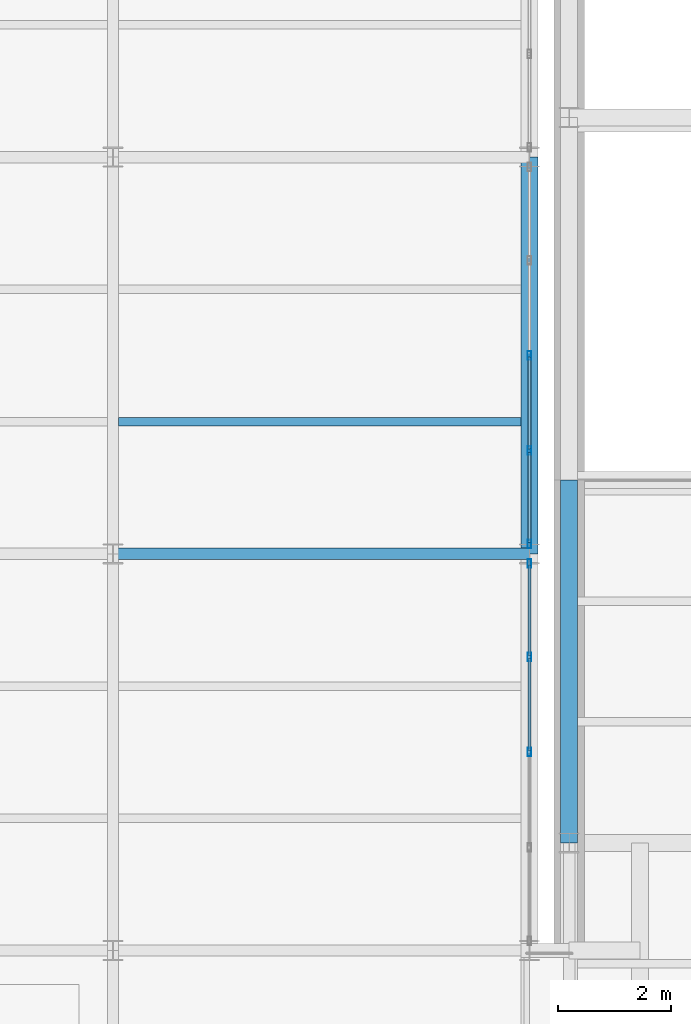
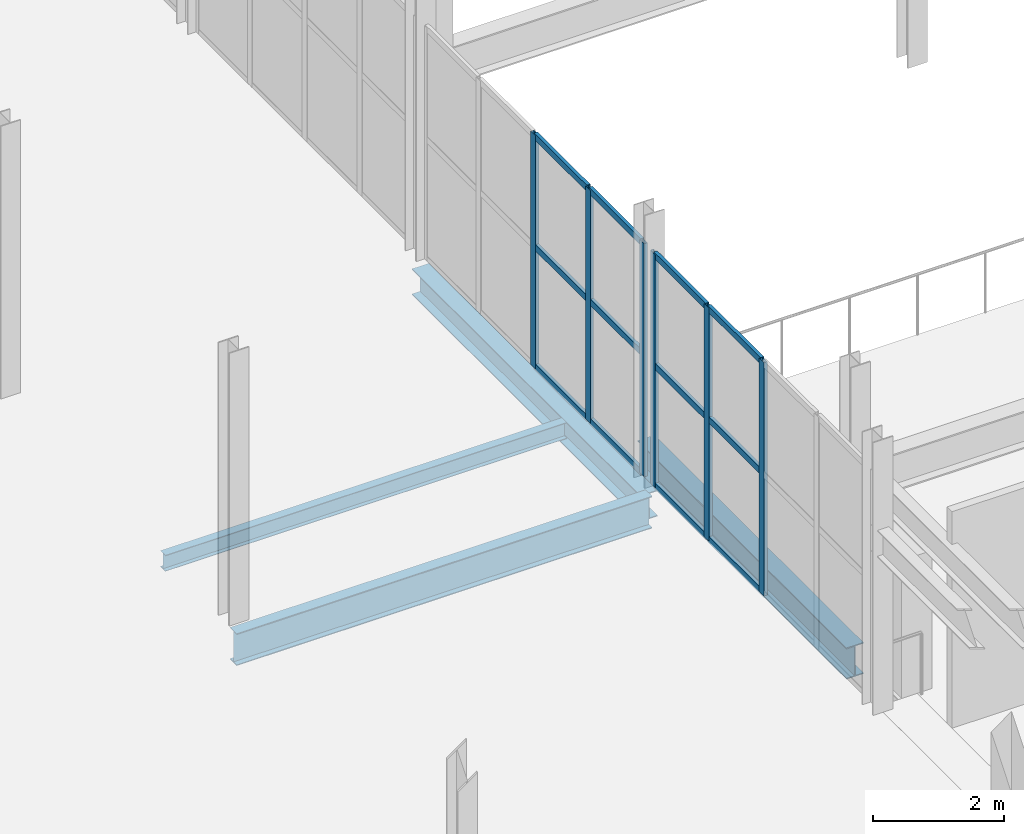
# One storey, part 47 of 218: 18 members, 4 beams, 2 elements without a shape of their own.
"""IFC4 building model written with IfcOpenShell, lengths in metres."""

from ifc_helpers import new_model, si_unit, direction, frame, origin, origin_2d, place, context, subcontext, project, spatial, hollow_rectangle, i_section, extrude, material, material_profile, profile_set, type_object, element, aggregate, save


model = new_model("IFC4")

# Units and contexts
model_context = context("Model", 3, precision=1e-05, world=origin(), true_north=direction((0.0, 1.0)))
body_context = subcontext(model_context, "Body", "Model", "MODEL_VIEW")
ifc_project = project(units=[si_unit("LENGTHUNIT", "METRE"), si_unit("AREAUNIT", "SQUARE_METRE"), si_unit("VOLUMEUNIT", "CUBIC_METRE"), si_unit("PLANEANGLEUNIT", "RADIAN"), si_unit("MASSUNIT", "GRAM", prefix="KILO")], contexts=[model_context])

# Site, building, storey
site_placement = place(None, origin())
site = spatial("IfcSite", under=ifc_project, at=site_placement, CompositionType="ELEMENT")
building_placement = place(site_placement, origin())
building = spatial("IfcBuilding", under=site, at=building_placement, Name="Kazenagashi Tramway Depot", CompositionType="ELEMENT")
storey_placement = place(building_placement, frame((0.0, 0.0, 6.0)))
storey = spatial("IfcBuildingStorey", under=building, at=storey_placement, Name="L02", CompositionType="ELEMENT", Elevation=6.0)

# Beams
ifc_material_1 = material(Name="Steel SN490B", Category="steel")
ifc_material_profile_1 = material_profile(ifc_material_1, i_section(OverallWidth=0.2, OverallDepth=0.6, WebThickness=0.011, FlangeThickness=0.017, at=origin_2d()), Name="H-600x200x11x17")
ifc_profile_set_1 = profile_set([ifc_material_profile_1], Name="Steel SN490B")
beam_type_1 = type_object("IfcBeamType", Name="G-03", PredefinedType="BEAM", material=ifc_profile_set_1)
beam_1_placement = place(storey_placement, frame((36.75, 28.0, -0.55), z_axis=(1.0, 0.0, 0.0), x_axis=(0.0, 1.0, 0.0)))
element("IfcBeam", 1, at=beam_1_placement, inside=storey, type_object=beam_type_1, Name="Beam G-03 BM-0024", PredefinedType="BEAM", context=body_context, shape_type="SweptSolid", body=[
    extrude(i_section(OverallWidth=0.2, OverallDepth=0.6, WebThickness=0.011, FlangeThickness=0.017, at=origin_2d()), origin(), (0.0, 0.0, 1.0), 7.35),
])
ifc_material_2 = material(Name="Steel SN400B", Category="steel")
ifc_material_profile_2 = material_profile(ifc_material_2, i_section(OverallWidth=0.15, OverallDepth=0.3, WebThickness=0.0065, FlangeThickness=0.009, at=origin_2d()), Name="H-300x150x6.5x9")
ifc_profile_set_2 = profile_set([ifc_material_profile_2], Name="Steel SN400B")
beam_type_2 = type_object("IfcBeamType", Name="J-02", PredefinedType="JOIST", material=ifc_profile_set_2)
beam_2_placement = place(storey_placement, frame((36.85, 30.333, -0.4), z_axis=(1.0, 0.0, 0.0), x_axis=(0.0, 1.0, 0.0)))
element("IfcBeam", 2, at=beam_2_placement, inside=storey, type_object=beam_type_2, Name="Beam J-02 BM-0195", PredefinedType="JOIST", context=body_context, shape_type="SweptSolid", body=[
    extrude(i_section(OverallWidth=0.15, OverallDepth=0.3, WebThickness=0.0065, FlangeThickness=0.009, at=origin_2d()), origin(), (0.0, 0.0, 1.0), 7.1),
])

# Curtain wall, members
ifc_material_3 = material(Name="Anodised Aluminium and Low-E Glazing", Category="aluminium")
curtain_wall_type = type_object("IfcCurtainWallType", Name="CW-34", PredefinedType="USERDEFINED", material=ifc_material_3)
curtain_wall_1_placement = place(storey_placement, origin())
curtain_wall_1 = element("IfcCurtainWall", 3, at=curtain_wall_1_placement, inside=storey, type_object=curtain_wall_type, Name="Industrial Glazed Screen CW-34 CW-0186", ObjectType="GLAZED SCREEN", PredefinedType="USERDEFINED")
ifc_material_4 = material(Name="Anodised Aluminium", Category="aluminium")
ifc_material_profile_3 = material_profile(ifc_material_4, hollow_rectangle(XDim=0.06, YDim=0.15, WallThickness=0.004, at=origin_2d()), Name="RHS-150x60x4")
ifc_profile_set_3 = profile_set([ifc_material_profile_3], Name="Anodised Aluminium")
member_type_1 = type_object("IfcMemberType", Name="ML-01", PredefinedType="MULLION", material=ifc_profile_set_3)
member_1_placement = place(storey_placement, frame((44.1, 24.5, 0.0), z_axis=(0.0, 0.0, 1.0), x_axis=(-1.0, 0.0, 0.0)))
member_1 = element("IfcMember", 4, at=member_1_placement, type_object=member_type_1, Name="CW-34 mullion 3", PredefinedType="MULLION", context=body_context, shape_type="SweptSolid", body=[
    extrude(hollow_rectangle(XDim=0.06, YDim=0.15, WallThickness=0.004, at=origin_2d()), origin(), (0.0, 0.0, 1.0), 4.362),
])
member_2_placement = place(storey_placement, frame((44.1, 26.18, 0.0), z_axis=(0.0, 0.0, 1.0), x_axis=(-1.0, 0.0, 0.0)))
member_2 = element("IfcMember", 5, at=member_2_placement, type_object=member_type_1, Name="CW-34 mullion 4", PredefinedType="MULLION", context=body_context, shape_type="SweptSolid", body=[
    extrude(hollow_rectangle(XDim=0.06, YDim=0.15, WallThickness=0.004, at=origin_2d()), origin(), (0.0, 0.0, 1.0), 4.362),
])
member_3_placement = place(storey_placement, frame((44.1, 27.83, 0.0), z_axis=(0.0, 0.0, 1.0), x_axis=(-1.0, 0.0, 0.0)))
member_3 = element("IfcMember", 6, at=member_3_placement, type_object=member_type_1, Name="CW-34 mullion 5", PredefinedType="MULLION", context=body_context, shape_type="SweptSolid", body=[
    extrude(hollow_rectangle(XDim=0.06, YDim=0.15, WallThickness=0.004, at=origin_2d()), origin(), (0.0, 0.0, 1.0), 4.362),
])

curtain_wall_2_placement = place(storey_placement, origin())
curtain_wall_2 = element("IfcCurtainWall", 7, at=curtain_wall_2_placement, inside=storey, type_object=curtain_wall_type, Name="Industrial Glazed Screen CW-34 CW-0188", ObjectType="GLAZED SCREEN", PredefinedType="USERDEFINED")
member_4_placement = place(storey_placement, frame((44.1, 28.17, 0.0), z_axis=(0.0, 0.0, 1.0), x_axis=(-1.0, 0.0, 0.0)))
member_4 = element("IfcMember", 8, at=member_4_placement, type_object=member_type_1, Name="CW-34 mullion 1", PredefinedType="MULLION", context=body_context, shape_type="SweptSolid", body=[
    extrude(hollow_rectangle(XDim=0.06, YDim=0.15, WallThickness=0.004, at=origin_2d()), origin(), (0.0, 0.0, 1.0), 4.362),
])
member_5_placement = place(storey_placement, frame((44.1, 29.82, 0.0), z_axis=(0.0, 0.0, 1.0), x_axis=(-1.0, 0.0, 0.0)))
member_5 = element("IfcMember", 9, at=member_5_placement, type_object=member_type_1, Name="CW-34 mullion 2", PredefinedType="MULLION", context=body_context, shape_type="SweptSolid", body=[
    extrude(hollow_rectangle(XDim=0.06, YDim=0.15, WallThickness=0.004, at=origin_2d()), origin(), (0.0, 0.0, 1.0), 4.362),
])
member_6_placement = place(storey_placement, frame((44.1, 31.5, 0.0), z_axis=(0.0, 0.0, 1.0), x_axis=(-1.0, 0.0, 0.0)))
member_6 = element("IfcMember", 10, at=member_6_placement, type_object=member_type_1, Name="CW-34 mullion 3", PredefinedType="MULLION", context=body_context, shape_type="SweptSolid", body=[
    extrude(hollow_rectangle(XDim=0.06, YDim=0.15, WallThickness=0.004, at=origin_2d()), origin(), (0.0, 0.0, 1.0), 4.362),
])

# Beams
ifc_material_profile_4 = material_profile(ifc_material_1, i_section(OverallWidth=0.3, OverallDepth=0.588, WebThickness=0.012, FlangeThickness=0.02, at=origin_2d()), Name="H-588x300x12x20")
ifc_profile_set_4 = profile_set([ifc_material_profile_4], Name="Steel SN490B")
beam_type_3 = type_object("IfcBeamType", Name="SP-01", PredefinedType="SPANDREL", material=ifc_profile_set_4)
beam_3_placement = place(storey_placement, frame((44.8, 22.9, -0.544), z_axis=(0.0, 1.0, 0.0), x_axis=(-1.0, 0.0, 0.0)))
element("IfcBeam", 11, at=beam_3_placement, inside=storey, type_object=beam_type_3, Name="Beam SP-01 BM-1033", PredefinedType="SPANDREL", context=body_context, shape_type="SweptSolid", body=[
    extrude(i_section(OverallWidth=0.3, OverallDepth=0.588, WebThickness=0.012, FlangeThickness=0.02, at=origin_2d()), origin(), (0.0, 0.0, 1.0), 6.4),
])
ifc_material_profile_5 = material_profile(ifc_material_1, i_section(OverallWidth=0.3, OverallDepth=0.488, WebThickness=0.011, FlangeThickness=0.018, at=origin_2d()), Name="H-488x300x11x18")
ifc_profile_set_5 = profile_set([ifc_material_profile_5], Name="Steel SN490B")
beam_type_4 = type_object("IfcBeamType", Name="SP-02", PredefinedType="SPANDREL", material=ifc_profile_set_5)
beam_4_placement = place(storey_placement, frame((44.1, 28.0, -0.494), z_axis=(0.0, 1.0, 0.0), x_axis=(-1.0, 0.0, 0.0)))
element("IfcBeam", 12, at=beam_4_placement, inside=storey, type_object=beam_type_4, Name="Beam SP-02 BM-0213", PredefinedType="SPANDREL", context=body_context, shape_type="SweptSolid", body=[
    extrude(i_section(OverallWidth=0.3, OverallDepth=0.488, WebThickness=0.011, FlangeThickness=0.018, at=origin_2d()), origin(), (0.0, 0.0, 1.0), 7.0),
])

# Member
ifc_material_profile_6 = material_profile(ifc_material_4, hollow_rectangle(XDim=0.06, YDim=0.12, WallThickness=0.004, at=origin_2d()), Name="RHS-120x60x4")
ifc_profile_set_6 = profile_set([ifc_material_profile_6], Name="Anodised Aluminium")
member_type_2 = type_object("IfcMemberType", Name="TR-01", PredefinedType="USERDEFINED", material=ifc_profile_set_6)
member_7_placement = place(storey_placement, frame((44.1, 24.53, 0.03), z_axis=(0.0, 1.0, 0.0), x_axis=(-1.0, 0.0, 0.0)))
member_7 = element("IfcMember", 13, at=member_7_placement, type_object=member_type_2, Name="CW-34 transom 3.1", ObjectType="TRANSOM", PredefinedType="USERDEFINED", context=body_context, shape_type="SweptSolid", body=[
    extrude(hollow_rectangle(XDim=0.06, YDim=0.12, WallThickness=0.004, at=origin_2d()), origin(), (0.0, 0.0, 1.0), 1.62),
])

member_8_placement = place(storey_placement, frame((44.1, 24.53, 2.268), z_axis=(0.0, 1.0, 0.0), x_axis=(-1.0, 0.0, 0.0)))
member_8 = element("IfcMember", 14, at=member_8_placement, type_object=member_type_2, Name="CW-34 transom 3.2", ObjectType="TRANSOM", PredefinedType="USERDEFINED", context=body_context, shape_type="SweptSolid", body=[
    extrude(hollow_rectangle(XDim=0.06, YDim=0.12, WallThickness=0.004, at=origin_2d()), origin(), (0.0, 0.0, 1.0), 1.62),
])

member_9_placement = place(storey_placement, frame((44.1, 24.53, 4.332), z_axis=(0.0, 1.0, 0.0), x_axis=(-1.0, 0.0, 0.0)))
member_9 = element("IfcMember", 15, at=member_9_placement, type_object=member_type_2, Name="CW-34 transom 3.3", ObjectType="TRANSOM", PredefinedType="USERDEFINED", context=body_context, shape_type="SweptSolid", body=[
    extrude(hollow_rectangle(XDim=0.06, YDim=0.12, WallThickness=0.004, at=origin_2d()), origin(), (0.0, 0.0, 1.0), 1.62),
])

member_10_placement = place(storey_placement, frame((44.1, 26.21, 0.03), z_axis=(0.0, 1.0, 0.0), x_axis=(-1.0, 0.0, 0.0)))
member_10 = element("IfcMember", 16, at=member_10_placement, type_object=member_type_2, Name="CW-34 transom 4.1", ObjectType="TRANSOM", PredefinedType="USERDEFINED", context=body_context, shape_type="SweptSolid", body=[
    extrude(hollow_rectangle(XDim=0.06, YDim=0.12, WallThickness=0.004, at=origin_2d()), origin(), (0.0, 0.0, 1.0), 1.59),
])

member_11_placement = place(storey_placement, frame((44.1, 26.21, 2.268), z_axis=(0.0, 1.0, 0.0), x_axis=(-1.0, 0.0, 0.0)))
member_11 = element("IfcMember", 17, at=member_11_placement, type_object=member_type_2, Name="CW-34 transom 4.2", ObjectType="TRANSOM", PredefinedType="USERDEFINED", context=body_context, shape_type="SweptSolid", body=[
    extrude(hollow_rectangle(XDim=0.06, YDim=0.12, WallThickness=0.004, at=origin_2d()), origin(), (0.0, 0.0, 1.0), 1.59),
])

member_12_placement = place(storey_placement, frame((44.1, 26.21, 4.332), z_axis=(0.0, 1.0, 0.0), x_axis=(-1.0, 0.0, 0.0)))
member_12 = element("IfcMember", 18, at=member_12_placement, type_object=member_type_2, Name="CW-34 transom 4.3", ObjectType="TRANSOM", PredefinedType="USERDEFINED", context=body_context, shape_type="SweptSolid", body=[
    extrude(hollow_rectangle(XDim=0.06, YDim=0.12, WallThickness=0.004, at=origin_2d()), origin(), (0.0, 0.0, 1.0), 1.59),
])

aggregate(curtain_wall_1, [member_1, member_2, member_3, member_7, member_8, member_9, member_10, member_11, member_12])

member_13_placement = place(storey_placement, frame((44.1, 28.2, 0.03), z_axis=(0.0, 1.0, 0.0), x_axis=(-1.0, 0.0, 0.0)))
member_13 = element("IfcMember", 19, at=member_13_placement, type_object=member_type_2, Name="CW-34 transom 1.1", ObjectType="TRANSOM", PredefinedType="USERDEFINED", context=body_context, shape_type="SweptSolid", body=[
    extrude(hollow_rectangle(XDim=0.06, YDim=0.12, WallThickness=0.004, at=origin_2d()), origin(), (0.0, 0.0, 1.0), 1.59),
])

member_14_placement = place(storey_placement, frame((44.1, 28.2, 2.268), z_axis=(0.0, 1.0, 0.0), x_axis=(-1.0, 0.0, 0.0)))
member_14 = element("IfcMember", 20, at=member_14_placement, type_object=member_type_2, Name="CW-34 transom 1.2", ObjectType="TRANSOM", PredefinedType="USERDEFINED", context=body_context, shape_type="SweptSolid", body=[
    extrude(hollow_rectangle(XDim=0.06, YDim=0.12, WallThickness=0.004, at=origin_2d()), origin(), (0.0, 0.0, 1.0), 1.59),
])

member_15_placement = place(storey_placement, frame((44.1, 28.2, 4.332), z_axis=(0.0, 1.0, 0.0), x_axis=(-1.0, 0.0, 0.0)))
member_15 = element("IfcMember", 21, at=member_15_placement, type_object=member_type_2, Name="CW-34 transom 1.3", ObjectType="TRANSOM", PredefinedType="USERDEFINED", context=body_context, shape_type="SweptSolid", body=[
    extrude(hollow_rectangle(XDim=0.06, YDim=0.12, WallThickness=0.004, at=origin_2d()), origin(), (0.0, 0.0, 1.0), 1.59),
])

member_16_placement = place(storey_placement, frame((44.1, 29.85, 0.03), z_axis=(0.0, 1.0, 0.0), x_axis=(-1.0, 0.0, 0.0)))
member_16 = element("IfcMember", 22, at=member_16_placement, type_object=member_type_2, Name="CW-34 transom 2.1", ObjectType="TRANSOM", PredefinedType="USERDEFINED", context=body_context, shape_type="SweptSolid", body=[
    extrude(hollow_rectangle(XDim=0.06, YDim=0.12, WallThickness=0.004, at=origin_2d()), origin(), (0.0, 0.0, 1.0), 1.62),
])

member_17_placement = place(storey_placement, frame((44.1, 29.85, 2.268), z_axis=(0.0, 1.0, 0.0), x_axis=(-1.0, 0.0, 0.0)))
member_17 = element("IfcMember", 23, at=member_17_placement, type_object=member_type_2, Name="CW-34 transom 2.2", ObjectType="TRANSOM", PredefinedType="USERDEFINED", context=body_context, shape_type="SweptSolid", body=[
    extrude(hollow_rectangle(XDim=0.06, YDim=0.12, WallThickness=0.004, at=origin_2d()), origin(), (0.0, 0.0, 1.0), 1.62),
])

member_18_placement = place(storey_placement, frame((44.1, 29.85, 4.332), z_axis=(0.0, 1.0, 0.0), x_axis=(-1.0, 0.0, 0.0)))
member_18 = element("IfcMember", 24, at=member_18_placement, type_object=member_type_2, Name="CW-34 transom 2.3", ObjectType="TRANSOM", PredefinedType="USERDEFINED", context=body_context, shape_type="SweptSolid", body=[
    extrude(hollow_rectangle(XDim=0.06, YDim=0.12, WallThickness=0.004, at=origin_2d()), origin(), (0.0, 0.0, 1.0), 1.62),
])

aggregate(curtain_wall_2, [member_4, member_5, member_6, member_13, member_14, member_15, member_16, member_17, member_18])

save(model, "model.ifc")
